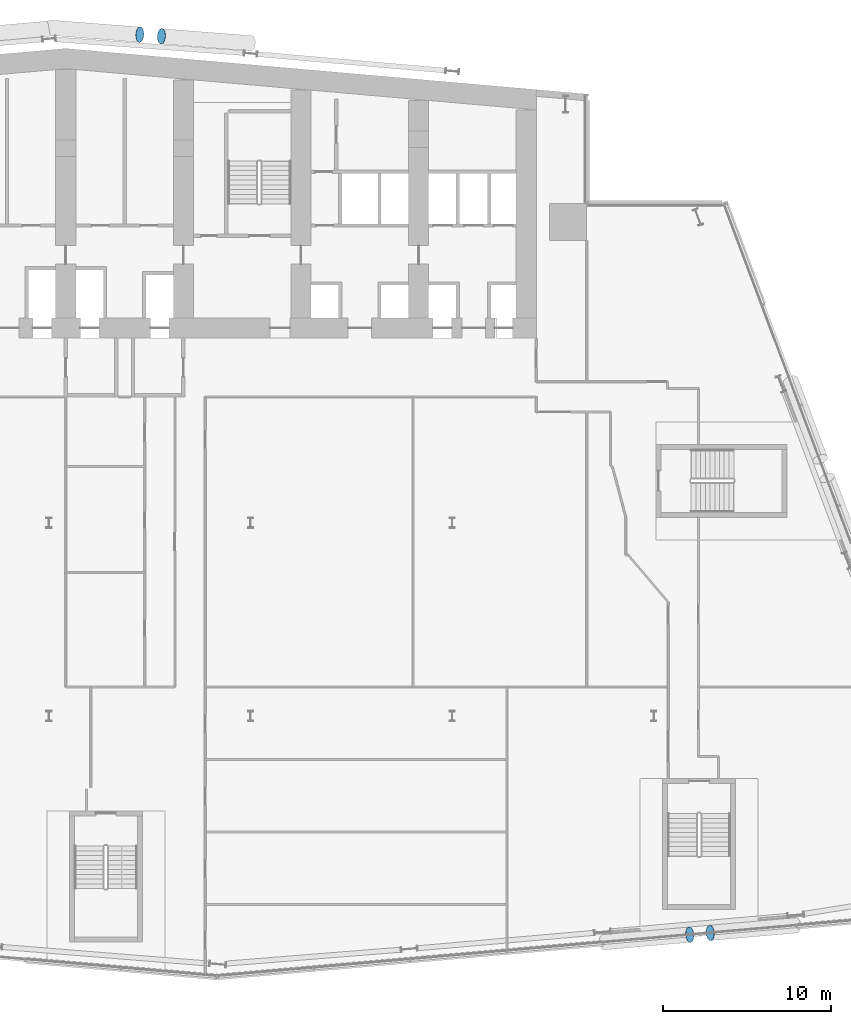
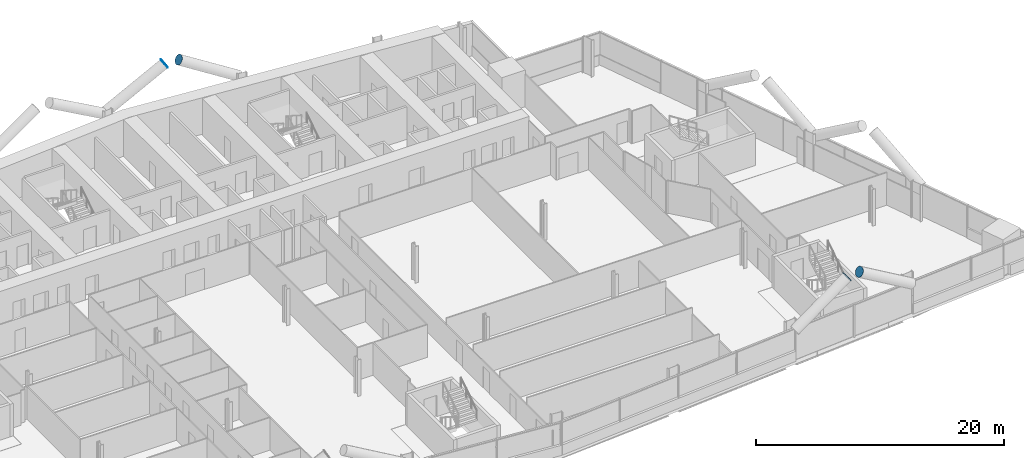
# One storey, part 22 of 27: 4 discrete accessories.
"""IFC4 building model written with IfcOpenShell, lengths in metres."""

from ifc_helpers import new_model, si_unit, direction, frame, origin, origin_2d, place, context, subcontext, project, spatial, circle, extrude, material, material_profile, profile_set, type_object, element, save


model = new_model("IFC4")

# Units and contexts
model_context = context("Model", 3, precision=1e-05, world=origin(), true_north=direction((0.0, 1.0)))
body_context = subcontext(model_context, "Body", "Model", "MODEL_VIEW")
ifc_project = project(units=[si_unit("LENGTHUNIT", "METRE"), si_unit("AREAUNIT", "SQUARE_METRE"), si_unit("VOLUMEUNIT", "CUBIC_METRE"), si_unit("PLANEANGLEUNIT", "RADIAN"), si_unit("MASSUNIT", "GRAM", prefix="KILO")], contexts=[model_context])

# Site, building, storey
site_placement = place(None, origin())
site = spatial("IfcSite", under=ifc_project, at=site_placement, CompositionType="ELEMENT")
building_placement = place(site_placement, origin())
building = spatial("IfcBuilding", under=site, at=building_placement, Name="Wharfspan Tower", CompositionType="ELEMENT")
storey_placement = place(building_placement, frame((0.0, 0.0, 81.100098)))
storey = spatial("IfcBuildingStorey", under=building, at=storey_placement, Name="L17", CompositionType="ELEMENT", Elevation=81.100098)

# Discrete accessories
ifc_material = material(Name="Steel S460NH", Category="steel")
ifc_material_profile = material_profile(ifc_material, circle(Radius=0.457031, at=origin_2d()))
ifc_profile_set = profile_set([ifc_material_profile], Name="Steel S460NH")
discrete_accessory_type = type_object("IfcDiscreteAccessoryType", Name="End plate CHS 914x40", PredefinedType="BRACKET", material=ifc_profile_set)
discrete_accessory_placement = place(storey_placement, frame((74.12915, -1.508301, 6.114258), z_axis=(0.848411, 0.07486, 0.524018), x_axis=(-0.087893, 0.996132, -2e-06)))
element("IfcDiscreteAccessory", 1, at=discrete_accessory_placement, inside=storey, type_object=discrete_accessory_type, Name="End plate CHS 914x40", PredefinedType="BRACKET", context=body_context, shape_type="SweptSolid", body=[
    extrude(circle(Radius=0.457031, at=origin_2d()), origin(), (0.0, 0.0, 1.0), 0.009766),
])
for number, where, z_axis, x_axis, name in (
    (2, (75.361328, -1.400391, 6.114258), (-0.855186, -0.073302, 0.513112), (0.085402, -0.996345, 1e-06), "End plate CHS 914x40"),
    (3, (41.396484, 52.060791, 6.109863), (0.856465, -0.048941, 0.513879), (0.05705, 0.998372, 0.0), "End plate CHS 914x40"),
    (4, (42.696533, 51.959961, 6.109863), (-0.856465, 0.048941, 0.513879), (-0.05705, -0.998372, 0.0), "End plate CHS 914x40"),
):
    element("IfcDiscreteAccessory", number, at=place(storey_placement, frame(where, z_axis=z_axis, x_axis=x_axis)), inside=storey, type_object=discrete_accessory_type, Name=name, PredefinedType="BRACKET", context=body_context, shape_type="SweptSolid", body=[
        extrude(circle(Radius=0.457031, at=origin_2d()), origin(), (0.0, 0.0, 1.0), 0.01001),
    ])

save(model, "model.ifc")
